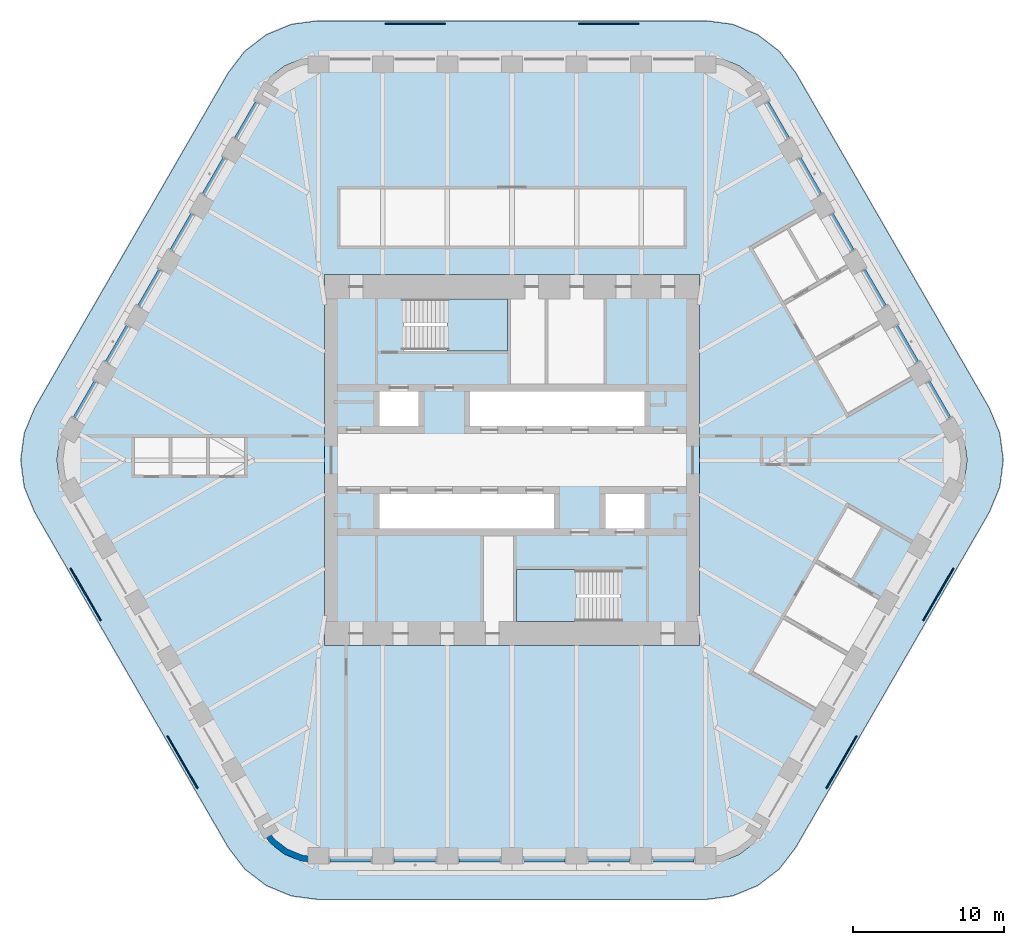
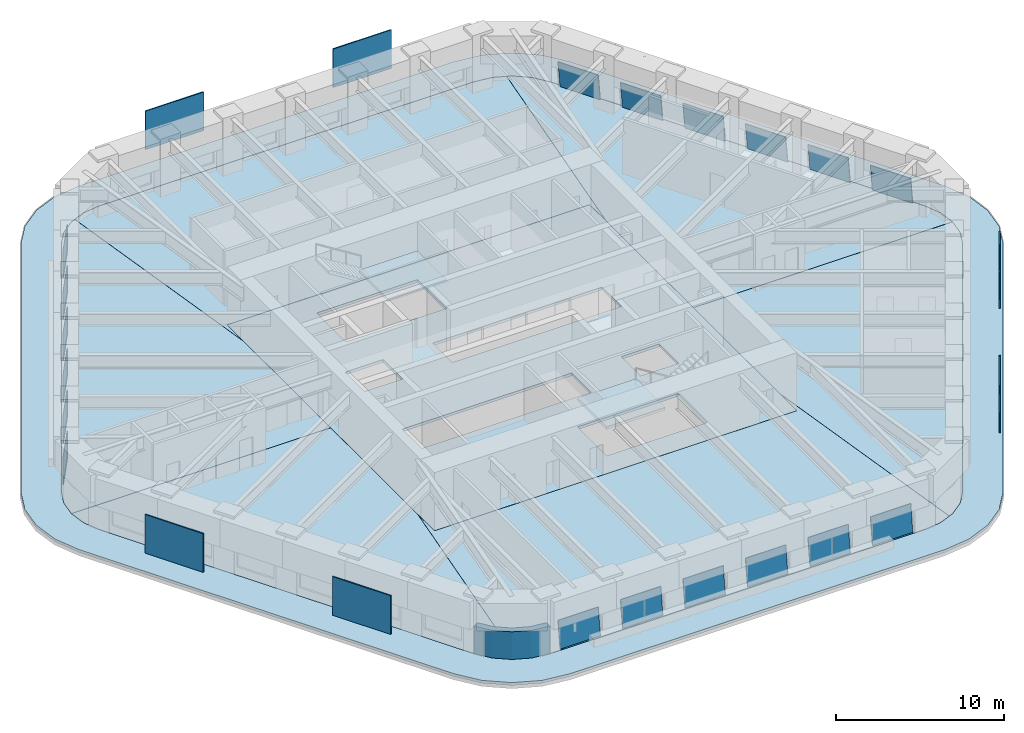
# One storey, part 12 of 18: 24 plates, 10 slabs, 1 wall, 20 elements without a shape of their own.
"""IFC4 building model written with IfcOpenShell, lengths in metres."""

from ifc_helpers import new_model, si_unit, direction, frame, origin, origin_2d, place, context, subcontext, project, spatial, polyline, rectangle, outline, extrude, material, layer, layer_set, type_object, element, aggregate, save


model = new_model("IFC4")

# Units and contexts
model_context = context("Model", 3, precision=1e-05, world=origin(), true_north=direction((0.0, 1.0)))
body_context = subcontext(model_context, "Body", "Model", "MODEL_VIEW")
ifc_project = project(units=[si_unit("LENGTHUNIT", "METRE"), si_unit("AREAUNIT", "SQUARE_METRE"), si_unit("VOLUMEUNIT", "CUBIC_METRE"), si_unit("PLANEANGLEUNIT", "RADIAN"), si_unit("MASSUNIT", "GRAM", prefix="KILO")], contexts=[model_context])

# Site, building, storey
site_placement = place(None, origin())
site = spatial("IfcSite", under=ifc_project, at=site_placement, CompositionType="ELEMENT")
building_placement = place(site_placement, origin())
building = spatial("IfcBuilding", under=site, at=building_placement, Name="Tarfa Lantern Tower", CompositionType="ELEMENT")
storey_placement = place(building_placement, frame((0.0, 0.0, 315.699951171875)))
storey = spatial("IfcBuildingStorey", under=building, at=storey_placement, Name="L71", CompositionType="ELEMENT", Elevation=315.699951171875)

# Slab
ifc_material_1 = material(Name="Concrete C40/50", Category="concrete")
ifc_layer_1 = layer(ifc_material_1, 0.199951171875)
ifc_layer_set_1 = layer_set([ifc_layer_1], Name="BS2 BALCONY SLAB 200")
slab_type_1 = type_object("IfcSlabType", Name="BS2 BALCONY SLAB 200", PredefinedType="FLOOR", material=ifc_layer_set_1)
slab_1_placement = place(storey_placement, frame((0.0, 0.0, -0.199951171875)))
element("IfcSlab", 1, at=slab_1_placement, inside=storey, type_object=slab_type_1, Name="Planted ledge L71", PredefinedType="FLOOR", context=body_context, shape_type="SweptSolid", body=[
    extrude(outline(polyline([(31.667724609375, 3.449951171875), (18.821533203125, 25.699951171875), (17.72509765625, 27.129150390625), (16.296142578125, 28.2255859375), (14.6318359375, 28.914794921875), (12.845947265625, 29.14990234375), (-12.845947265625, 29.14990234375), (-14.6318359375, 28.914794921875), (-16.296142578125, 28.2255859375), (-17.72509765625, 27.129150390625), (-18.821533203125, 25.699951171875), (-31.667724609375, 3.449951171875), (-32.35693359375, 1.785888671875), (-32.592041015625, 0.0), (-32.35693359375, -1.785888671875), (-31.667724609375, -3.449951171875), (-18.821533203125, -25.699951171875), (-17.72509765625, -27.129150390625), (-16.296142578125, -28.2255859375), (-14.6318359375, -28.914794921875), (-12.845947265625, -29.14990234375), (12.845947265625, -29.14990234375), (14.6318359375, -28.914794921875), (16.296142578125, -28.2255859375), (17.72509765625, -27.129150390625), (18.821533203125, -25.699951171875), (31.667724609375, -3.449951171875), (32.35693359375, -1.785888671875), (32.592041015625, 0.0), (32.35693359375, 1.785888671875), (31.667724609375, 3.449951171875)]), holes=[polyline([(29.589111328125, 2.25), (16.7431640625, 24.5), (16.028076171875, 25.431884765625), (15.095947265625, 26.147216796875), (14.0107421875, 26.5966796875), (12.845947265625, 26.75), (-12.845947265625, 26.75), (-14.0107421875, 26.5966796875), (-15.095947265625, 26.147216796875), (-16.028076171875, 25.431884765625), (-16.7431640625, 24.5), (-29.589111328125, 2.25), (-30.038818359375, 1.164794921875), (-30.192138671875, 0.0), (-30.038818359375, -1.164794921875), (-29.589111328125, -2.25), (-16.7431640625, -24.5), (-16.028076171875, -25.431884765625), (-15.095947265625, -26.147216796875), (-14.0107421875, -26.5966796875), (-12.845947265625, -26.75), (12.845947265625, -26.75), (14.0107421875, -26.5966796875), (15.095947265625, -26.147216796875), (16.028076171875, -25.431884765625), (16.7431640625, -24.5), (29.589111328125, -2.25), (30.038818359375, -1.164794921875), (30.192138671875, 0.0), (30.038818359375, 1.164794921875), (29.589111328125, 2.25)])]), origin(), (0.0, 0.0, 1.0), 0.199951171875),
])

# Curtain wall, plate
ifc_material_2 = material(Name="Aluminium framed curtain wall", Category="aluminium")
curtain_wall_type = type_object("IfcCurtainWallType", Name="CW4 CANTED GLAZING EXECUTIVE ZONE 2000", PredefinedType="USERDEFINED", material=ifc_material_2)
curtain_wall_1_placement = place(storey_placement, origin())
curtain_wall_1 = element("IfcCurtainWall", 2, at=curtain_wall_1_placement, inside=storey, type_object=curtain_wall_type, Name="CW4 NE L71", ObjectType="CURTAIN WALL", PredefinedType="USERDEFINED")
ifc_material_3 = material(Name="Laminated double glazing", Category="glass")
ifc_layer_2 = layer(ifc_material_3, 0.028076171875)
ifc_layer_set_2 = layer_set([ifc_layer_2], Name="CWP1 DOUBLE GLAZED PANEL")
plate_type_1 = type_object("IfcPlateType", Name="CWP1 DOUBLE GLAZED PANEL", PredefinedType="CURTAIN_PANEL", material=ifc_layer_set_2)
plate_1_placement = place(storey_placement, frame((29.1201171875, 2.862548828125, 0.0), z_axis=(0.859351744561, 0.496113334939, 0.124040872356), x_axis=(-0.49997487943, 0.866039906662, 2.729665e-06)))
plate_1 = element("IfcPlate", 3, at=plate_1_placement, type_object=plate_type_1, Name="CW4 panel 1.1", PredefinedType="CURTAIN_PANEL", context=body_context, shape_type="SweptSolid", body=[
    extrude(outline(polyline([(0.0, 0.0), (2.7519873020761882, 2.7755575615628914e-17), (2.7520630657669827, 1.950111579792426), (-0.00013567183329332643, 1.9501267213124316), (0.0, 0.0)])), origin(), (0.0, 0.0, -1.0), 0.028076171875),
])
aggregate(curtain_wall_1, [plate_1])

curtain_wall_2_placement = place(storey_placement, origin())
curtain_wall_2 = element("IfcCurtainWall", 4, at=curtain_wall_2_placement, inside=storey, type_object=curtain_wall_type, Name="CW4 NE L71", ObjectType="CURTAIN WALL", PredefinedType="USERDEFINED")
plate_2_placement = place(storey_placement, frame((26.97900390625, 6.57080078125, 0.0), z_axis=(0.859344077517, 0.496134318878, 0.124010056315), x_axis=(-0.499993790352, 0.866028988896, 0.0)))
plate_2 = element("IfcPlate", 5, at=plate_2_placement, type_object=plate_type_1, Name="CW4 panel 1.1", PredefinedType="CURTAIN_PANEL", context=body_context, shape_type="SweptSolid", body=[
    extrude(outline(polyline([(0.0, 0.0), (2.7519873027425428, -2.7755575615628914e-17), (2.7520630651006095, 1.9501115807328344), (7.57623580663197e-05, 1.9501115807328344), (0.0, 0.0)])), origin(), (0.0, 0.0, -1.0), 0.028076171875),
])
aggregate(curtain_wall_2, [plate_2])

curtain_wall_3_placement = place(storey_placement, origin())
curtain_wall_3 = element("IfcCurtainWall", 6, at=curtain_wall_3_placement, inside=storey, type_object=curtain_wall_type, Name="CW4 NE L71", ObjectType="CURTAIN WALL", PredefinedType="USERDEFINED")
plate_3_placement = place(storey_placement, frame((24.838134765625, 10.279296875, 0.0), z_axis=(0.859337405246, 0.496130466704, 0.124071688769), x_axis=(-0.499993790352, 0.866028988896, 0.0)))
plate_3 = element("IfcPlate", 7, at=plate_3_placement, type_object=plate_type_1, Name="CW4 panel 1.1", PredefinedType="CURTAIN_PANEL", context=body_context, shape_type="SweptSolid", body=[
    extrude(outline(polyline([(0.0, 0.0), (2.7519873027425428, 0.0), (2.751851632241992, 1.9501267222528735), (-0.0001356705005509806, 1.9501267222528735), (0.0, 0.0)])), origin(), (0.0, 0.0, -1.0), 0.028076171875),
])
aggregate(curtain_wall_3, [plate_3])

curtain_wall_4_placement = place(storey_placement, origin())
curtain_wall_4 = element("IfcCurtainWall", 8, at=curtain_wall_4_placement, inside=storey, type_object=curtain_wall_type, Name="CW4 NE L71", ObjectType="CURTAIN WALL", PredefinedType="USERDEFINED")
plate_4_placement = place(storey_placement, frame((22.697021484375, 13.987548828125, 0.0), z_axis=(0.859351744561, 0.496113334939, 0.124040872356), x_axis=(-0.49997487943, 0.866039906662, 2.729665e-06)))
plate_4 = element("IfcPlate", 9, at=plate_4_placement, type_object=plate_type_1, Name="CW4 panel 1.1", PredefinedType="CURTAIN_PANEL", context=body_context, shape_type="SweptSolid", body=[
    extrude(outline(polyline([(0.0, 0.0), (2.7519873020761882, 2.7755575615628914e-17), (2.7520630657669827, 1.950111579792426), (-0.00013567183329332643, 1.9501267213124316), (0.0, 0.0)])), origin(), (0.0, 0.0, -1.0), 0.028076171875),
])
aggregate(curtain_wall_4, [plate_4])

curtain_wall_5_placement = place(storey_placement, origin())
curtain_wall_5 = element("IfcCurtainWall", 10, at=curtain_wall_5_placement, inside=storey, type_object=curtain_wall_type, Name="CW4 NE L71", ObjectType="CURTAIN WALL", PredefinedType="USERDEFINED")
plate_5_placement = place(storey_placement, frame((20.55615234375, 17.69580078125, 0.0), z_axis=(0.859344077517, 0.496134318878, 0.124010056315), x_axis=(-0.499993790352, 0.866028988896, 0.0)))
plate_5 = element("IfcPlate", 11, at=plate_5_placement, type_object=plate_type_1, Name="CW4 panel 1.1", PredefinedType="CURTAIN_PANEL", context=body_context, shape_type="SweptSolid", body=[
    extrude(outline(polyline([(0.0, 0.0), (2.7519873027425428, -2.7755575615628914e-17), (2.7520630651006095, 1.9501115807328344), (7.57623580663197e-05, 1.9501115807328344), (0.0, 0.0)])), origin(), (0.0, 0.0, -1.0), 0.028076171875),
])
aggregate(curtain_wall_5, [plate_5])

curtain_wall_6_placement = place(storey_placement, origin())
curtain_wall_6 = element("IfcCurtainWall", 12, at=curtain_wall_6_placement, inside=storey, type_object=curtain_wall_type, Name="CW4 NE L71", ObjectType="CURTAIN WALL", PredefinedType="USERDEFINED")
plate_6_placement = place(storey_placement, frame((18.4150390625, 21.404296875, 0.0), z_axis=(0.859337405246, 0.496130466704, 0.124071688769), x_axis=(-0.499993790352, 0.866028988896, 0.0)))
plate_6 = element("IfcPlate", 13, at=plate_6_placement, type_object=plate_type_1, Name="CW4 panel 1.1", PredefinedType="CURTAIN_PANEL", context=body_context, shape_type="SweptSolid", body=[
    extrude(outline(polyline([(0.0, 0.0), (2.7519873027425428, 0.0), (2.751851632241992, 1.9501267222528735), (-0.0001356705005509806, 1.9501267222528735), (0.0, 0.0)])), origin(), (0.0, 0.0, -1.0), 0.028076171875),
])
aggregate(curtain_wall_6, [plate_6])

curtain_wall_7_placement = place(storey_placement, origin())
curtain_wall_7 = element("IfcCurtainWall", 14, at=curtain_wall_7_placement, inside=storey, type_object=curtain_wall_type, Name="CW4 NW L71", ObjectType="CURTAIN WALL", PredefinedType="USERDEFINED")
plate_7_placement = place(storey_placement, frame((-17.0390625, 23.78759765625, 0.0), z_axis=(-0.859337405246, 0.496130466704, 0.124071688769), x_axis=(-0.499993790352, -0.866028988896, 0.0)))
plate_7 = element("IfcPlate", 15, at=plate_7_placement, type_object=plate_type_1, Name="CW4 panel 1.1", PredefinedType="CURTAIN_PANEL", context=body_context, shape_type="SweptSolid", body=[
    extrude(outline(polyline([(0.0, 0.0), (2.7519873027425428, 0.0), (2.7521229732430936, 1.9501267222528735), (0.0001356705005509806, 1.9501267222528735), (0.0, 0.0)])), origin(), (0.0, 0.0, -1.0), 0.028076171875),
])
aggregate(curtain_wall_7, [plate_7])

curtain_wall_8_placement = place(storey_placement, origin())
curtain_wall_8 = element("IfcCurtainWall", 16, at=curtain_wall_8_placement, inside=storey, type_object=curtain_wall_type, Name="CW4 NW L71", ObjectType="CURTAIN WALL", PredefinedType="USERDEFINED")
plate_8_placement = place(storey_placement, frame((-19.18017578125, 20.0791015625, 0.0), z_axis=(-0.859344077517, 0.496134318878, 0.124010056315), x_axis=(-0.499993790352, -0.866028988896, 0.0)))
plate_8 = element("IfcPlate", 17, at=plate_8_placement, type_object=plate_type_1, Name="CW4 panel 1.1", PredefinedType="CURTAIN_PANEL", context=body_context, shape_type="SweptSolid", body=[
    extrude(outline(polyline([(0.0, 0.0), (2.7519873027425428, 2.7755575615628914e-17), (2.7519115403844765, 1.9501115807328344), (-7.57623580663197e-05, 1.9501115807328344), (0.0, 0.0)])), origin(), (0.0, 0.0, -1.0), 0.028076171875),
])
aggregate(curtain_wall_8, [plate_8])

curtain_wall_9_placement = place(storey_placement, origin())
curtain_wall_9 = element("IfcCurtainWall", 18, at=curtain_wall_9_placement, inside=storey, type_object=curtain_wall_type, Name="CW4 NW L71", ObjectType="CURTAIN WALL", PredefinedType="USERDEFINED")
plate_9_placement = place(storey_placement, frame((-21.321044921875, 16.370849609375, 0.0), z_axis=(-0.859351744561, 0.496113334939, 0.124040872356), x_axis=(-0.49997487943, -0.866039906662, -2.729665e-06)))
plate_9 = element("IfcPlate", 19, at=plate_9_placement, type_object=plate_type_1, Name="CW4 panel 1.1", PredefinedType="CURTAIN_PANEL", context=body_context, shape_type="SweptSolid", body=[
    extrude(outline(polyline([(0.0, 0.0), (2.7519873020761882, -2.7755575615628914e-17), (2.752122973909481, 1.9501267213124316), (-7.576369079412348e-05, 1.950111579792426), (0.0, 0.0)])), origin(), (0.0, 0.0, -1.0), 0.028076171875),
])
aggregate(curtain_wall_9, [plate_9])

curtain_wall_10_placement = place(storey_placement, origin())
curtain_wall_10 = element("IfcCurtainWall", 20, at=curtain_wall_10_placement, inside=storey, type_object=curtain_wall_type, Name="CW4 NW L71", ObjectType="CURTAIN WALL", PredefinedType="USERDEFINED")
plate_10_placement = place(storey_placement, frame((-23.462158203125, 12.66259765625, 0.0), z_axis=(-0.859337405246, 0.496130466704, 0.124071688769), x_axis=(-0.499993790352, -0.866028988896, 0.0)))
plate_10 = element("IfcPlate", 21, at=plate_10_placement, type_object=plate_type_1, Name="CW4 panel 1.1", PredefinedType="CURTAIN_PANEL", context=body_context, shape_type="SweptSolid", body=[
    extrude(outline(polyline([(0.0, 0.0), (2.7519873027425428, 0.0), (2.7521229732430936, 1.9501267222528735), (0.0001356705005509806, 1.9501267222528735), (0.0, 0.0)])), origin(), (0.0, 0.0, -1.0), 0.028076171875),
])
aggregate(curtain_wall_10, [plate_10])

curtain_wall_11_placement = place(storey_placement, origin())
curtain_wall_11 = element("IfcCurtainWall", 22, at=curtain_wall_11_placement, inside=storey, type_object=curtain_wall_type, Name="CW4 NW L71", ObjectType="CURTAIN WALL", PredefinedType="USERDEFINED")
plate_11_placement = place(storey_placement, frame((-25.60302734375, 8.9541015625, 0.0), z_axis=(-0.859344077517, 0.496134318878, 0.124010056315), x_axis=(-0.499993790352, -0.866028988896, 0.0)))
plate_11 = element("IfcPlate", 23, at=plate_11_placement, type_object=plate_type_1, Name="CW4 panel 1.1", PredefinedType="CURTAIN_PANEL", context=body_context, shape_type="SweptSolid", body=[
    extrude(outline(polyline([(0.0, 0.0), (2.7519873027425428, 2.7755575615628914e-17), (2.7519115403844765, 1.9501115807328344), (-7.57623580663197e-05, 1.9501115807328344), (0.0, 0.0)])), origin(), (0.0, 0.0, -1.0), 0.028076171875),
])
aggregate(curtain_wall_11, [plate_11])

curtain_wall_12_placement = place(storey_placement, origin())
curtain_wall_12 = element("IfcCurtainWall", 24, at=curtain_wall_12_placement, inside=storey, type_object=curtain_wall_type, Name="CW4 NW L71", ObjectType="CURTAIN WALL", PredefinedType="USERDEFINED")
plate_12_placement = place(storey_placement, frame((-27.744140625, 5.245849609375, 0.0), z_axis=(-0.859351744561, 0.496113334939, 0.124040872356), x_axis=(-0.49997487943, -0.866039906662, -2.729665e-06)))
plate_12 = element("IfcPlate", 25, at=plate_12_placement, type_object=plate_type_1, Name="CW4 panel 1.1", PredefinedType="CURTAIN_PANEL", context=body_context, shape_type="SweptSolid", body=[
    extrude(outline(polyline([(0.0, 0.0), (2.7519873020761882, -2.7755575615628914e-17), (2.752122973909481, 1.9501267213124316), (-7.576369079412348e-05, 1.950111579792426), (0.0, 0.0)])), origin(), (0.0, 0.0, -1.0), 0.028076171875),
])
aggregate(curtain_wall_12, [plate_12])

curtain_wall_13_placement = place(storey_placement, origin())
curtain_wall_13 = element("IfcCurtainWall", 26, at=curtain_wall_13_placement, inside=storey, type_object=curtain_wall_type, Name="CW4 S L71", ObjectType="CURTAIN WALL", PredefinedType="USERDEFINED")
plate_13_placement = place(storey_placement, frame((-12.0810546875, -26.64990234375, 0.0), z_axis=(0.0, -0.992289428797, 0.123942282931), x_axis=(1.0, 0.0, 0.0)))
plate_13 = element("IfcPlate", 27, at=plate_13_placement, type_object=plate_type_1, Name="CW4 panel 1.1", PredefinedType="CURTAIN_PANEL", context=body_context, shape_type="SweptSolid", body=[
    extrude(outline(polyline([(0.0, 0.0), (2.751953125, 0.0), (2.751953125, 1.9500949396350138), (0.0, 1.9500949396350138), (0.0, 0.0)])), origin(), (0.0, 0.0, -1.0), 0.028076171875),
])
aggregate(curtain_wall_13, [plate_13])

curtain_wall_14_placement = place(storey_placement, origin())
curtain_wall_14 = element("IfcCurtainWall", 28, at=curtain_wall_14_placement, inside=storey, type_object=curtain_wall_type, Name="CW4 S L71", ObjectType="CURTAIN WALL", PredefinedType="USERDEFINED")
plate_14_placement = place(storey_placement, frame((-7.799072265625, -26.64990234375, 0.0), z_axis=(0.0, -0.992289428797, 0.123942282931), x_axis=(1.0, 0.0, 0.0)))
plate_14 = element("IfcPlate", 29, at=plate_14_placement, type_object=plate_type_1, Name="CW4 panel 1.1", PredefinedType="CURTAIN_PANEL", context=body_context, shape_type="SweptSolid", body=[
    extrude(outline(polyline([(0.0, 0.0), (2.751953125, 0.0), (2.751953125, 1.9500949396350138), (0.0, 1.9500949396350138), (0.0, 0.0)])), origin(), (0.0, 0.0, -1.0), 0.028076171875),
])
aggregate(curtain_wall_14, [plate_14])

curtain_wall_15_placement = place(storey_placement, origin())
curtain_wall_15 = element("IfcCurtainWall", 30, at=curtain_wall_15_placement, inside=storey, type_object=curtain_wall_type, Name="CW4 S L71", ObjectType="CURTAIN WALL", PredefinedType="USERDEFINED")
plate_15_placement = place(storey_placement, frame((-3.51708984375, -26.64990234375, 0.0), z_axis=(0.0, -0.992289428797, 0.123942282931), x_axis=(1.0, 0.0, 0.0)))
plate_15 = element("IfcPlate", 31, at=plate_15_placement, type_object=plate_type_1, Name="CW4 panel 1.1", PredefinedType="CURTAIN_PANEL", context=body_context, shape_type="SweptSolid", body=[
    extrude(outline(polyline([(0.0, 0.0), (2.752197265625, 0.0), (2.752197265625, 1.9500949396350138), (0.0, 1.9500949396350138), (0.0, 0.0)])), origin(), (0.0, 0.0, -1.0), 0.028076171875),
])
aggregate(curtain_wall_15, [plate_15])

curtain_wall_16_placement = place(storey_placement, origin())
curtain_wall_16 = element("IfcCurtainWall", 32, at=curtain_wall_16_placement, inside=storey, type_object=curtain_wall_type, Name="CW4 S L71", ObjectType="CURTAIN WALL", PredefinedType="USERDEFINED")
plate_16_placement = place(storey_placement, frame((0.764892578125, -26.64990234375, 0.0), z_axis=(0.0, -0.992289428797, 0.123942282931), x_axis=(1.0, 0.0, 0.0)))
plate_16 = element("IfcPlate", 33, at=plate_16_placement, type_object=plate_type_1, Name="CW4 panel 1.1", PredefinedType="CURTAIN_PANEL", context=body_context, shape_type="SweptSolid", body=[
    extrude(outline(polyline([(0.0, 0.0), (2.752197265625, 0.0), (2.752197265625, 1.9500949396350138), (0.0, 1.9500949396350138), (0.0, 0.0)])), origin(), (0.0, 0.0, -1.0), 0.028076171875),
])
aggregate(curtain_wall_16, [plate_16])

curtain_wall_17_placement = place(storey_placement, origin())
curtain_wall_17 = element("IfcCurtainWall", 34, at=curtain_wall_17_placement, inside=storey, type_object=curtain_wall_type, Name="CW4 S L71", ObjectType="CURTAIN WALL", PredefinedType="USERDEFINED")
plate_17_placement = place(storey_placement, frame((5.047119140625, -26.64990234375, 0.0), z_axis=(0.0, -0.992289428797, 0.123942282931), x_axis=(1.0, 0.0, 0.0)))
plate_17 = element("IfcPlate", 35, at=plate_17_placement, type_object=plate_type_1, Name="CW4 panel 1.1", PredefinedType="CURTAIN_PANEL", context=body_context, shape_type="SweptSolid", body=[
    extrude(outline(polyline([(0.0, 0.0), (2.751953125, 0.0), (2.751953125, 1.9500949396350138), (0.0, 1.9500949396350138), (0.0, 0.0)])), origin(), (0.0, 0.0, -1.0), 0.028076171875),
])
aggregate(curtain_wall_17, [plate_17])

curtain_wall_18_placement = place(storey_placement, origin())
curtain_wall_18 = element("IfcCurtainWall", 36, at=curtain_wall_18_placement, inside=storey, type_object=curtain_wall_type, Name="CW4 S L71", ObjectType="CURTAIN WALL", PredefinedType="USERDEFINED")
plate_18_placement = place(storey_placement, frame((9.3291015625, -26.64990234375, 0.0), z_axis=(0.0, -0.992289428797, 0.123942282931), x_axis=(1.0, 0.0, 0.0)))
plate_18 = element("IfcPlate", 37, at=plate_18_placement, type_object=plate_type_1, Name="CW4 panel 1.1", PredefinedType="CURTAIN_PANEL", context=body_context, shape_type="SweptSolid", body=[
    extrude(outline(polyline([(0.0, 0.0), (2.751953125, 0.0), (2.751953125, 1.9500949396350138), (0.0, 1.9500949396350138), (0.0, 0.0)])), origin(), (0.0, 0.0, -1.0), 0.028076171875),
])
aggregate(curtain_wall_18, [plate_18])

# Slabs
ifc_layer_3 = layer(ifc_material_1, 0.199951171875)
ifc_layer_set_3 = layer_set([ifc_layer_3], Name="FS1 FLOOR SLAB 200")
slab_type_2 = type_object("IfcSlabType", Name="FS1 FLOOR SLAB 200", PredefinedType="FLOOR", material=ifc_layer_set_3)
slab_2_placement = place(storey_placement, frame((0.0, 0.0, -0.199951171875)))
element("IfcSlab", 38, at=slab_2_placement, inside=storey, type_object=slab_type_2, Name="Floor slab L71", PredefinedType="FLOOR", context=body_context, shape_type="SweptSolid", body=[
    extrude(outline(polyline([(-12.425048828125, -12.300048828125), (12.425048828125, -12.300048828125), (12.425048828125, 12.300048828125), (-12.425048828125, 12.300048828125), (-12.425048828125, -12.300048828125)]), holes=[polyline([(-8.800048828125, 2.25), (-6.199951171875, 2.25), (-6.199951171875, 4.550048828125), (-8.800048828125, 4.550048828125), (-8.800048828125, 2.25)]), polyline([(-2.800048828125, 2.25), (8.800048828125, 2.25), (8.800048828125, 4.550048828125), (-2.800048828125, 4.550048828125), (-2.800048828125, 2.25)]), polyline([(8.800048828125, -2.25), (6.199951171875, -2.25), (6.199951171875, -4.550048828125), (8.800048828125, -4.550048828125), (8.800048828125, -2.25)]), polyline([(2.800048828125, -2.25), (-8.800048828125, -2.25), (-8.800048828125, -4.550048828125), (2.800048828125, -4.550048828125), (2.800048828125, -2.25)]), polyline([(-7.199951171875, 7.25), (-0.300048828125, 7.25), (-0.300048828125, 10.699951171875), (-7.199951171875, 10.699951171875), (-7.199951171875, 7.25)]), polyline([(7.199951171875, -7.25), (0.300048828125, -7.25), (0.300048828125, -10.699951171875), (7.199951171875, -10.699951171875), (7.199951171875, -7.25)])]), origin(), (0.0, 0.0, 1.0), 0.199951171875),
])
slab_3_placement = place(storey_placement, frame((0.0, 0.0, -0.199951171875)))
element("IfcSlab", 39, at=slab_3_placement, inside=storey, type_object=slab_type_2, Name="Floor slab L71 NE bay", PredefinedType="FLOOR", context=body_context, shape_type="SweptSolid", body=[
    extrude(outline(polyline([(29.58740234375, 2.2490234375), (16.741455078125, 24.498779296875), (16.026611328125, 25.4306640625), (15.094970703125, 26.145263671875), (14.802001953125, 26.2666015625), (12.427001953125, 10.2998046875), (12.427001953125, 0.001953125), (30.189697265625, 0.001953125), (30.036865234375, 1.1640625), (29.58740234375, 2.2490234375)])), origin(), (0.0, 0.0, 1.0), 0.199951171875),
])
slab_4_placement = place(storey_placement, frame((0.0, 0.0, -0.199951171875)))
element("IfcSlab", 40, at=slab_4_placement, inside=storey, type_object=slab_type_2, Name="Floor slab L71 N bay", PredefinedType="FLOOR", context=body_context, shape_type="SweptSolid", body=[
    extrude(outline(polyline([(-12.427001953125, 10.3271484375), (-12.427001953125, 12.302001953125), (12.427001953125, 12.302001953125), (12.427001953125, 10.3271484375), (14.79833984375, 26.268310546875), (14.01025390625, 26.5947265625), (12.845947265625, 26.748046875), (-12.845947265625, 26.748046875), (-14.01025390625, 26.5947265625), (-14.79833984375, 26.268310546875), (-12.427001953125, 10.3271484375)])), origin(), (0.0, 0.0, 1.0), 0.199951171875),
])
slab_5_placement = place(storey_placement, frame((0.0, 0.0, -0.199951171875)))
element("IfcSlab", 41, at=slab_5_placement, inside=storey, type_object=slab_type_2, Name="Floor slab L71 NW bay", PredefinedType="FLOOR", context=body_context, shape_type="SweptSolid", body=[
    extrude(outline(polyline([(-12.427001953125, 0.001953125), (-12.427001953125, 10.2998046875), (-14.802001953125, 26.2666015625), (-15.094970703125, 26.145263671875), (-16.026611328125, 25.4306640625), (-16.741455078125, 24.498779296875), (-29.58740234375, 2.2490234375), (-30.036865234375, 1.1640625), (-30.189697265625, 0.001953125), (-12.427001953125, 0.001953125)])), origin(), (0.0, 0.0, 1.0), 0.199951171875),
])
slab_6_placement = place(storey_placement, frame((0.0, 0.0, -0.199951171875)))
element("IfcSlab", 42, at=slab_6_placement, inside=storey, type_object=slab_type_2, Name="Floor slab L71 SW bay", PredefinedType="FLOOR", context=body_context, shape_type="SweptSolid", body=[
    extrude(outline(polyline([(-12.427001953125, -10.2998046875), (-12.427001953125, -0.001953125), (-30.189697265625, -0.001953125), (-30.036865234375, -1.1640625), (-29.58740234375, -2.2490234375), (-16.741455078125, -24.498779296875), (-16.026611328125, -25.4306640625), (-15.094970703125, -26.145263671875), (-14.802001953125, -26.2666015625), (-12.427001953125, -10.2998046875)])), origin(), (0.0, 0.0, 1.0), 0.199951171875),
])
slab_7_placement = place(storey_placement, frame((0.0, 0.0, -0.199951171875)))
element("IfcSlab", 43, at=slab_7_placement, inside=storey, type_object=slab_type_2, Name="Floor slab L71 S bay", PredefinedType="FLOOR", context=body_context, shape_type="SweptSolid", body=[
    extrude(outline(polyline([(12.427001953125, -10.3271484375), (12.427001953125, -12.302001953125), (-12.427001953125, -12.302001953125), (-12.427001953125, -10.3271484375), (-14.79833984375, -26.268310546875), (-14.01025390625, -26.5947265625), (-12.845947265625, -26.748046875), (12.845947265625, -26.748046875), (14.01025390625, -26.5947265625), (14.79833984375, -26.268310546875), (12.427001953125, -10.3271484375)])), origin(), (0.0, 0.0, 1.0), 0.199951171875),
])
slab_8_placement = place(storey_placement, frame((0.0, 0.0, -0.199951171875)))
element("IfcSlab", 44, at=slab_8_placement, inside=storey, type_object=slab_type_2, Name="Floor slab L71 SE bay", PredefinedType="FLOOR", context=body_context, shape_type="SweptSolid", body=[
    extrude(outline(polyline([(12.427001953125, -0.001953125), (12.427001953125, -10.2998046875), (14.802001953125, -26.2666015625), (15.094970703125, -26.145263671875), (16.026611328125, -25.4306640625), (16.741455078125, -24.498779296875), (29.58740234375, -2.2490234375), (30.036865234375, -1.1640625), (30.189697265625, -0.001953125), (12.427001953125, -0.001953125)])), origin(), (0.0, 0.0, 1.0), 0.199951171875),
])

# Plates
ifc_material_4 = material(Name="Perforated limestone screen", Category="masonry")
ifc_layer_4 = layer(ifc_material_4, 0.080078125)
ifc_layer_set_4 = layer_set([ifc_layer_4], Name="SC1 STONE SCREEN 80")
plate_type_2 = type_object("IfcPlateType", Name="SC1 STONE SCREEN 80", PredefinedType="USERDEFINED", material=ifc_layer_set_4)
for number, where, z_axis, x_axis, name in (
    (45, (6.423095703125, 28.949951171875, 1.2001953125), (0.0, 0.0, 1.0), (-1.0, 0.0, 0.0), "Stone screen N 1"),
    (46, (-6.423095703125, 28.949951171875, 1.2001953125), (0.0, 0.0, 1.0), (-1.0, 0.0, 0.0), "Stone screen N 2"),
    (47, (-28.282958984375, -8.91259765625, 1.2001953125), (0.0, 0.0, 1.0), (0.5, -0.866025403784, 0.0), "Stone screen SW 1"),
    (48, (-21.85986328125, -20.03759765625, 1.2001953125), (0.0, 0.0, 1.0), (0.5, -0.866025403784, 0.0), "Stone screen SW 2"),
    (49, (21.85986328125, -20.03759765625, 1.2001953125), (0.0, 0.0, 1.0), (0.5, 0.866025403784, 0.0), "Stone screen SE 1"),
    (50, (28.282958984375, -8.91259765625, 1.2001953125), (0.0, 0.0, 1.0), (0.5, 0.866025403784, 0.0), "Stone screen SE 2"),
):
    element("IfcPlate", number, at=place(storey_placement, frame(where, z_axis=z_axis, x_axis=x_axis)), inside=storey, type_object=plate_type_2, Name=name, ObjectType="SCREEN", PredefinedType="USERDEFINED", context=body_context, shape_type="SweptSolid", body=[
        extrude(rectangle(XDim=4.0, YDim=0.080078125, at=origin_2d()), origin(), (0.0, 0.0, 1.0), 2.800048828125),
    ])

# Stair, slab
stair_type = type_object("IfcStairType", Name="ST-T10 HALF-TURN STAIR 4200 RISE", PredefinedType="HALF_TURN_STAIR", material=ifc_material_1)
stair_1_placement = place(storey_placement, origin())
stair_1 = element("IfcStair", 51, at=stair_1_placement, inside=storey, type_object=stair_type, Name="Stair ST1", PredefinedType="HALF_TURN_STAIR")
ifc_layer_5 = layer(ifc_material_1, 0.199951171875)
ifc_layer_set_5 = layer_set([ifc_layer_5], Name="SL1 STAIR LANDING 200")
slab_type_3 = type_object("IfcSlabType", Name="SL1 STAIR LANDING 200", PredefinedType="LANDING", material=ifc_layer_set_5)
slab_9_placement = place(storey_placement, frame((0.0, 0.0, 1.900146484375)))
slab_9 = element("IfcSlab", 52, at=slab_9_placement, type_object=slab_type_3, Name="ST1 landing 1", PredefinedType="LANDING", context=body_context, shape_type="SweptSolid", body=[
    extrude(outline(polyline([(-4.320068359375, 7.25), (-0.300048828125, 7.25), (-0.300048828125, 10.699951171875), (-4.320068359375, 10.699951171875), (-4.320068359375, 7.25)])), origin(), (0.0, 0.0, 1.0), 0.199951171875),
])
aggregate(stair_1, [slab_9])

stair_2_placement = place(storey_placement, origin())
stair_2 = element("IfcStair", 53, at=stair_2_placement, inside=storey, type_object=stair_type, Name="Stair ST2", PredefinedType="HALF_TURN_STAIR")
slab_10_placement = place(storey_placement, frame((0.0, 0.0, 1.900146484375)))
slab_10 = element("IfcSlab", 54, at=slab_10_placement, type_object=slab_type_3, Name="ST2 landing 1", PredefinedType="LANDING", context=body_context, shape_type="SweptSolid", body=[
    extrude(outline(polyline([(4.320068359375, -7.25), (0.300048828125, -7.25), (0.300048828125, -10.699951171875), (4.320068359375, -10.699951171875), (4.320068359375, -7.25)])), origin(), (0.0, 0.0, 1.0), 0.199951171875),
])
aggregate(stair_2, [slab_10])

# Wall
ifc_material_5 = material(Name="Limestone cladding on blockwork", Category="masonry")
ifc_layer_6 = layer(ifc_material_5, 0.39990234375)
ifc_layer_set_6 = layer_set([ifc_layer_6], Name="EW2 CURVED STONE CORNER 400")
wall_type = type_object("IfcWallType", Name="EW2 CURVED STONE CORNER 400", PredefinedType="SOLIDWALL", material=ifc_layer_set_6)
wall_placement = place(storey_placement, origin())
element("IfcWall", 55, at=wall_placement, inside=storey, type_object=wall_type, Name="Stone corner SW-S", PredefinedType="SOLIDWALL", context=body_context, shape_type="SweptSolid", body=[
    extrude(outline(polyline([(-16.7431640625, -24.5), (-16.028076171875, -25.431884765625), (-15.095947265625, -26.147216796875), (-14.0107421875, -26.5966796875), (-12.845947265625, -26.75), (-12.845947265625, -26.35009765625), (-13.9072265625, -26.210205078125), (-14.89599609375, -25.80078125), (-15.7451171875, -25.149169921875), (-16.396728515625, -24.300048828125), (-16.7431640625, -24.5)])), origin(), (0.0, 0.0, 1.0), 2.0),
])

save(model, "model.ifc")
